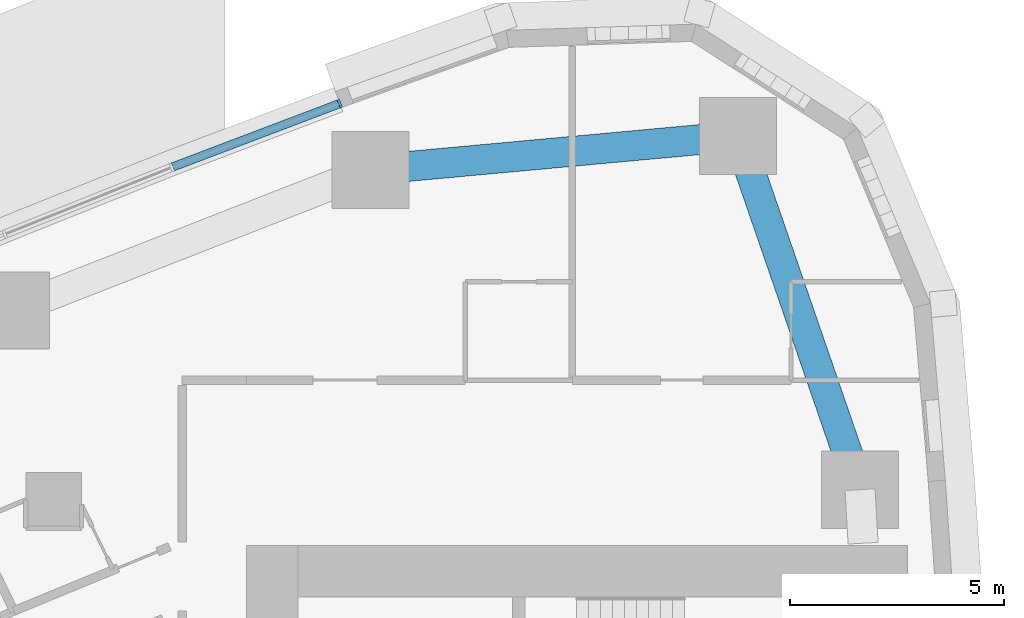
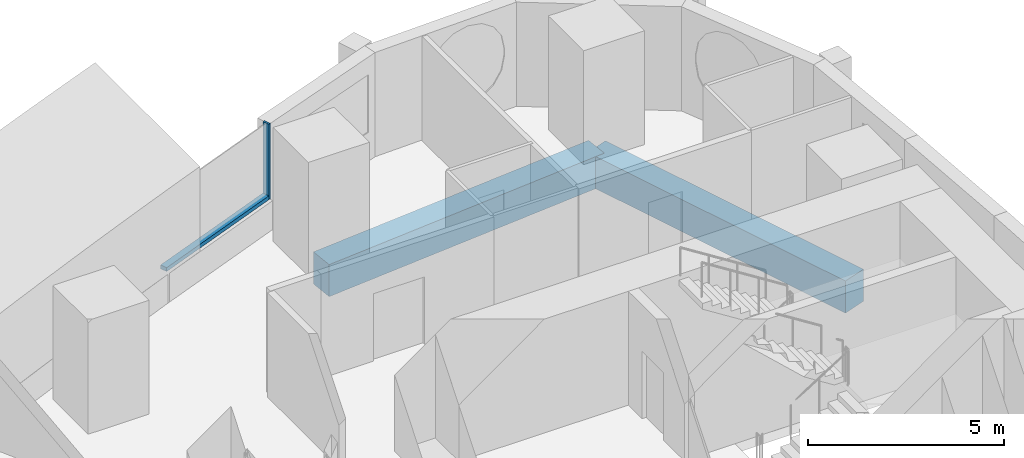
# One storey, part 7 of 18: 2 beams, 2 members, 1 element without a shape of its own.
"""IFC4 building model written with IfcOpenShell, lengths in metres."""

from ifc_helpers import new_model, si_unit, direction, frame, origin, origin_2d, place, context, subcontext, project, spatial, rectangle, extrude, material, layer, layer_set, material_profile, profile_set, type_object, element, aggregate, save


model = new_model("IFC4")

# Units and contexts
model_context = context("Model", 3, precision=1e-05, world=origin(), true_north=direction((0.0, 1.0)))
body_context = subcontext(model_context, "Body", "Model", "MODEL_VIEW")
ifc_project = project(units=[si_unit("LENGTHUNIT", "METRE"), si_unit("AREAUNIT", "SQUARE_METRE"), si_unit("VOLUMEUNIT", "CUBIC_METRE"), si_unit("PLANEANGLEUNIT", "RADIAN"), si_unit("MASSUNIT", "GRAM", prefix="KILO")], contexts=[model_context])

# Site, building, storey
site_placement = place(None, origin())
site = spatial("IfcSite", under=ifc_project, at=site_placement, CompositionType="ELEMENT")
building_placement = place(site_placement, origin())
building = spatial("IfcBuilding", under=site, at=building_placement, Name="Ostrand Prow Hotel Tower", CompositionType="ELEMENT")
storey_placement = place(building_placement, frame((0.0, 0.0, 57.35009765625)))
storey = spatial("IfcBuildingStorey", under=building, at=storey_placement, Name="L12", CompositionType="ELEMENT", Elevation=57.35009765625)

# Beams
ifc_material_1 = material(Name="Concrete C80/95", Category="concrete")
ifc_material_profile_1 = material_profile(ifc_material_1, rectangle(XDim=0.699951171875, YDim=1.0, at=origin_2d()), Name="RC 700x1000")
ifc_profile_set_1 = profile_set([ifc_material_profile_1], Name="Concrete C80/95")
beam_type = type_object("IfcBeamType", Name="Edge beam 700x1000 C80/95", PredefinedType="SPANDREL", material=ifc_profile_set_1)
beam_1_placement = place(storey_placement, frame((63.8134765625, 18.248779296875, -0.800048828125), z_axis=(-0.326263961413, 0.945278703602, 0.0), x_axis=(-0.945278703602, -0.326263961413, 0.0)))
element("IfcBeam", 1, at=beam_1_placement, inside=storey, type_object=beam_type, Name="Edge beam B5-NE", PredefinedType="SPANDREL", context=body_context, shape_type="SweptSolid", body=[
    extrude(rectangle(XDim=0.699951171875, YDim=1.0, at=origin_2d()), origin(), (0.0, 0.0, 1.0), 8.727294921875),
])
beam_2_placement = place(storey_placement, frame((60.966064453125, 26.49853515625, -0.800048828125), z_axis=(-0.995800189514, -0.091553167961, 0.0), x_axis=(0.091553167961, -0.995800189514, 0.0)))
element("IfcBeam", 2, at=beam_2_placement, inside=storey, type_object=beam_type, Name="Edge beam NE-N1", PredefinedType="SPANDREL", context=body_context, shape_type="SweptSolid", body=[
    extrude(rectangle(XDim=0.699951171875, YDim=1.0, at=origin_2d()), origin(), (0.0, 0.0, 1.0), 8.610595703125),
])

# Curtain wall, members
ifc_material_2 = material(Name="Insulated glass in bronze anodised frame", Category="glass")
ifc_layer = layer(ifc_material_2, 0.199951171875)
ifc_layer_set = layer_set([ifc_layer], Name="Insulated glass in bronze anodised frame")
curtain_wall_type = type_object("IfcCurtainWallType", Name="Strip curtain wall, fritted glass over bronze spandrel", PredefinedType="NOTDEFINED", material=ifc_layer_set)
curtain_wall_placement = place(storey_placement, origin())
curtain_wall = element("IfcCurtainWall", 3, at=curtain_wall_placement, inside=storey, type_object=curtain_wall_type, Name="CW1 run CWN1", PredefinedType="NOTDEFINED")
ifc_material_3 = material(Name="Bronze anodised aluminium", Category="aluminium")
ifc_material_profile_2 = material_profile(ifc_material_3, rectangle(XDim=0.199951171875, YDim=0.06005859375, at=origin_2d()), Name="Mullion 60x200 bronze anodised aluminium")
ifc_profile_set_2 = profile_set([ifc_material_profile_2], Name="Bronze anodised aluminium")
member_type_1 = type_object("IfcMemberType", Name="Mullion 60x200 bronze anodised aluminium", PredefinedType="MULLION", material=ifc_profile_set_2)
member_1_placement = place(storey_placement, frame((51.674560546875, 27.2578125, 0.89990234375), z_axis=(0.0, 0.0, 1.0), x_axis=(0.354728407072, -0.934969388384, 0.0)))
member_1 = element("IfcMember", 4, at=member_1_placement, type_object=member_type_1, Name="CW1 mullion 1", PredefinedType="MULLION", context=body_context, shape_type="SweptSolid", body=[
    extrude(rectangle(XDim=0.199951171875, YDim=0.06005859375, at=origin_2d()), origin(), (0.0, 0.0, 1.0), 2.35009765625),
])
ifc_material_4 = material(Name="Bronze anodised aluminium", Category="aluminium")
ifc_material_profile_3 = material_profile(ifc_material_4, rectangle(XDim=0.199951171875, YDim=0.1201171875, at=origin_2d()), Name="Transom 120x200 bronze anodised aluminium")
ifc_profile_set_3 = profile_set([ifc_material_profile_3], Name="Bronze anodised aluminium")
member_type_2 = type_object("IfcMemberType", Name="Transom 120x200 bronze anodised aluminium", PredefinedType="USERDEFINED", material=ifc_profile_set_3)
member_2_placement = place(storey_placement, frame((51.646484375, 27.2470703125, 0.9599609375), z_axis=(-0.93497051437, -0.354725439261, 0.0), x_axis=(0.354725439261, -0.93497051437, 0.0)))
member_2 = element("IfcMember", 5, at=member_2_placement, type_object=member_type_2, Name="CW1 transom 1.1", ObjectType="TRANSOM", PredefinedType="USERDEFINED", context=body_context, shape_type="SweptSolid", body=[
    extrude(rectangle(XDim=0.199951171875, YDim=0.1201171875, at=origin_2d()), origin(), (0.0, 0.0, 1.0), 4.13427734375),
])
aggregate(curtain_wall, [member_1, member_2])

save(model, "model.ifc")
